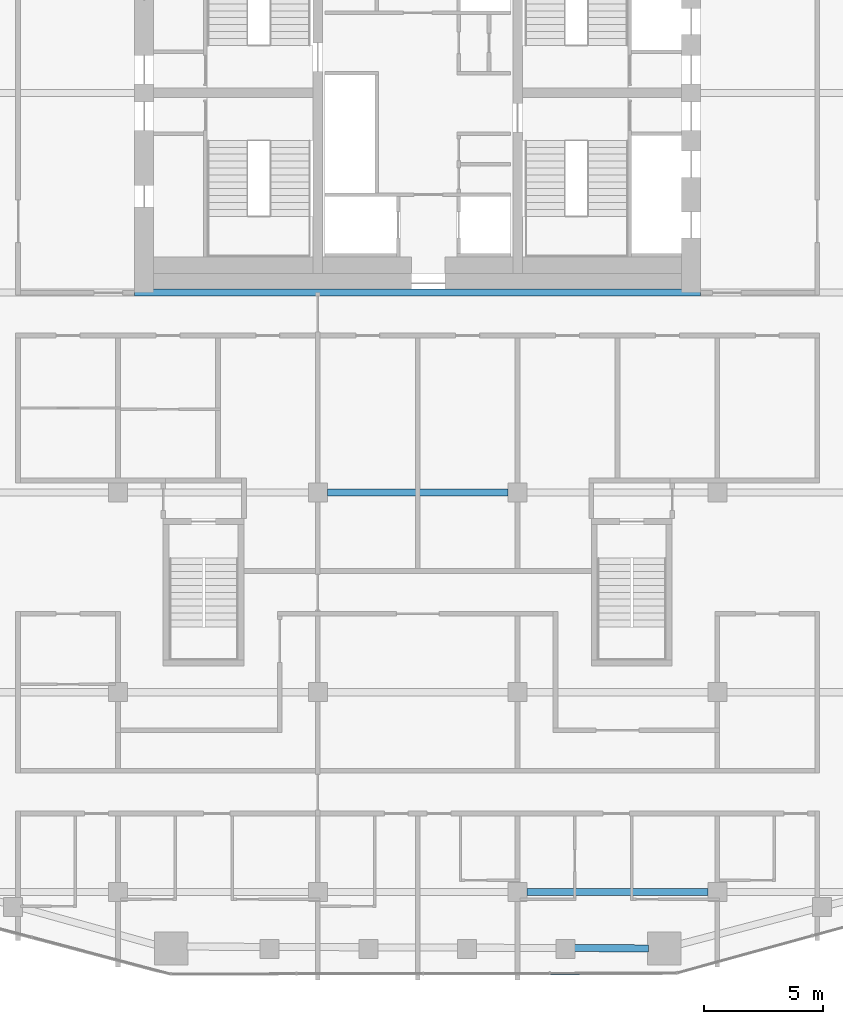
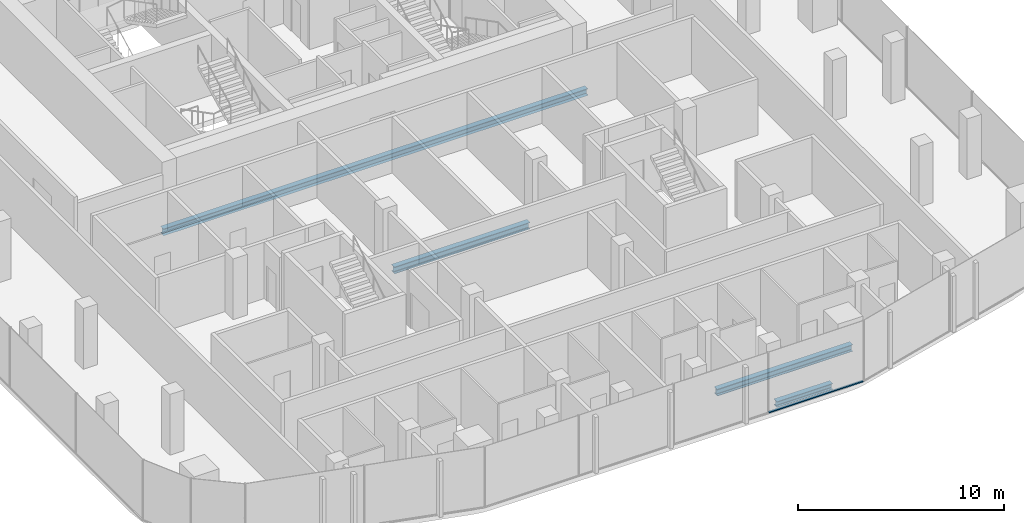
# One storey, part 5 of 20: 4 beams, 1 member, 1 element without a shape of its own.
"""IFC4 building model written with IfcOpenShell, lengths in metres."""

from ifc_helpers import new_model, si_unit, direction, frame, origin, origin_2d, place, context, subcontext, project, spatial, rectangle, i_section, extrude, material, layer, layer_set, material_profile, profile_set, type_object, element, aggregate, save


model = new_model("IFC4")

# Units and contexts
model_context = context("Model", 3, precision=1e-05, world=origin(), true_north=direction((0.0, 1.0)))
body_context = subcontext(model_context, "Body", "Model", "MODEL_VIEW")
ifc_project = project(units=[si_unit("LENGTHUNIT", "METRE"), si_unit("AREAUNIT", "SQUARE_METRE"), si_unit("VOLUMEUNIT", "CUBIC_METRE"), si_unit("PLANEANGLEUNIT", "RADIAN"), si_unit("MASSUNIT", "GRAM", prefix="KILO")], contexts=[model_context])

# Site, building, storey
site_placement = place(None, origin())
site = spatial("IfcSite", under=ifc_project, at=site_placement, CompositionType="ELEMENT")
building_placement = place(site_placement, origin())
building = spatial("IfcBuilding", under=site, at=building_placement, Name="Marenta Gate Hotel Tower", CompositionType="ELEMENT")
storey_placement = place(building_placement, frame((0.0, 0.0, 216.5)))
storey = spatial("IfcBuildingStorey", under=building, at=storey_placement, Name="L50", CompositionType="ELEMENT", Elevation=216.5)

# Beams
ifc_material_1 = material(Name="Steel S355", Category="steel")
ifc_material_profile_1 = material_profile(ifc_material_1, i_section(OverallWidth=0.300048828125, OverallDepth=0.340087890625, WebThickness=0.011962890625, FlangeThickness=0.021484375, FilletRadius=0.027099609375, at=origin_2d()), Name="HEB 340")
ifc_profile_set_1 = profile_set([ifc_material_profile_1], Name="Steel S355")
beam_type_1 = type_object("IfcBeamType", Name="Edge beam HEB 340", PredefinedType="SPANDREL", material=ifc_profile_set_1)
beam_1_placement = place(storey_placement, frame((9.706298828125, -27.570068359375, -0.429931640625), z_axis=(-0.999992678531, 0.003826602206, 0.0), x_axis=(-0.003826602206, -0.999992678531, 0.0)))
element("IfcBeam", 1, at=beam_1_placement, inside=storey, type_object=beam_type_1, Name="L50-EB-32", PredefinedType="SPANDREL", context=body_context, shape_type="SweptSolid", body=[
    extrude(i_section(OverallWidth=0.300048828125, OverallDepth=0.340087890625, WebThickness=0.011962890625, FlangeThickness=0.021484375, FilletRadius=0.027099609375, at=origin_2d()), origin(), (0.0, 0.0, 1.0), 3.126220703125),
])
ifc_material_2 = material(Name="Steel S355", Category="steel")
ifc_material_profile_2 = material_profile(ifc_material_2, i_section(OverallWidth=0.300048828125, OverallDepth=0.39990234375, WebThickness=0.013427734375, FlangeThickness=0.02392578125, FilletRadius=0.027099609375, at=origin_2d()), Name="HEB 400")
ifc_profile_set_2 = profile_set([ifc_material_profile_2], Name="Steel S355")
beam_type_2 = type_object("IfcBeamType", Name="Girder HEB 400", PredefinedType="BEAM", material=ifc_profile_set_2)
beam_2_placement = place(storey_placement, frame((4.60009765625, -25.199951171875, -0.4599609375), z_axis=(1.0, 0.0, 0.0), x_axis=(0.0, 1.0, 0.0)))
element("IfcBeam", 2, at=beam_2_placement, inside=storey, type_object=beam_type_2, Name="L50-GD-4", PredefinedType="BEAM", context=body_context, shape_type="SweptSolid", body=[
    extrude(i_section(OverallWidth=0.300048828125, OverallDepth=0.39990234375, WebThickness=0.013427734375, FlangeThickness=0.02392578125, FilletRadius=0.027099609375, at=origin_2d()), origin(), (0.0, 0.0, 1.0), 7.599853515625),
])
beam_3_placement = place(storey_placement, frame((-3.800048828125, -8.39990234375, -0.4599609375), z_axis=(1.0, 0.0, 0.0), x_axis=(0.0, 1.0, 0.0)))
element("IfcBeam", 3, at=beam_3_placement, inside=storey, type_object=beam_type_2, Name="L50-GD-16", PredefinedType="BEAM", context=body_context, shape_type="SweptSolid", body=[
    extrude(i_section(OverallWidth=0.300048828125, OverallDepth=0.39990234375, WebThickness=0.013427734375, FlangeThickness=0.02392578125, FilletRadius=0.027099609375, at=origin_2d()), origin(), (0.0, 0.0, 1.0), 7.60009765625),
])
beam_4_placement = place(storey_placement, frame((-11.89990234375, 0.0, -0.4599609375), z_axis=(1.0, 0.0, 0.0), x_axis=(0.0, 1.0, 0.0)))
element("IfcBeam", 4, at=beam_4_placement, inside=storey, type_object=beam_type_2, Name="L50-GD-22", PredefinedType="BEAM", context=body_context, shape_type="SweptSolid", body=[
    extrude(i_section(OverallWidth=0.300048828125, OverallDepth=0.39990234375, WebThickness=0.013427734375, FlangeThickness=0.02392578125, FilletRadius=0.027099609375, at=origin_2d()), origin(), (0.0, 0.0, 1.0), 23.7998046875),
])

# Curtain wall, member
ifc_material_3 = material(Name="Tinted insulated glass in bronze anodised frame", Category="glass")
ifc_layer = layer(ifc_material_3, 0.1201171875)
ifc_layer_set = layer_set([ifc_layer], Name="Tinted insulated glass in bronze anodised frame")
curtain_wall_type = type_object("IfcCurtainWallType", Name="Tower unitised curtain wall CW1", PredefinedType="NOTDEFINED", material=ifc_layer_set)
curtain_wall_placement = place(storey_placement, origin())
curtain_wall = element("IfcCurtainWall", 5, at=curtain_wall_placement, inside=storey, type_object=curtain_wall_type, Name="CW1 run G07", PredefinedType="NOTDEFINED")
ifc_material_4 = material(Name="Bronze anodised aluminium", Category="aluminium")
ifc_material_profile_3 = material_profile(ifc_material_4, rectangle(XDim=0.1201171875, YDim=0.06005859375, at=origin_2d()), Name="Transom CW1 60x120 bronze anodised aluminium")
ifc_profile_set_3 = profile_set([ifc_material_profile_3], Name="Bronze anodised aluminium")
member_type = type_object("IfcMemberType", Name="Transom CW1 60x120 bronze anodised aluminium", PredefinedType="USERDEFINED", material=ifc_profile_set_3)
member_placement = place(storey_placement, frame((5.583740234375, -28.62109375, 0.030029296875), z_axis=(0.999998695429, 0.001615283106, 0.0), x_axis=(-0.001615283106, 0.999998695429, 0.0)))
member = element("IfcMember", 6, at=member_placement, type_object=member_type, Name="CW1 transom 4.1", ObjectType="TRANSOM", PredefinedType="USERDEFINED", context=body_context, shape_type="SweptSolid", body=[
    extrude(rectangle(XDim=0.1201171875, YDim=0.06005859375, at=origin_2d()), origin(), (0.0, 0.0, 1.0), 5.2900390625),
])
aggregate(curtain_wall, [member])

save(model, "model.ifc")
